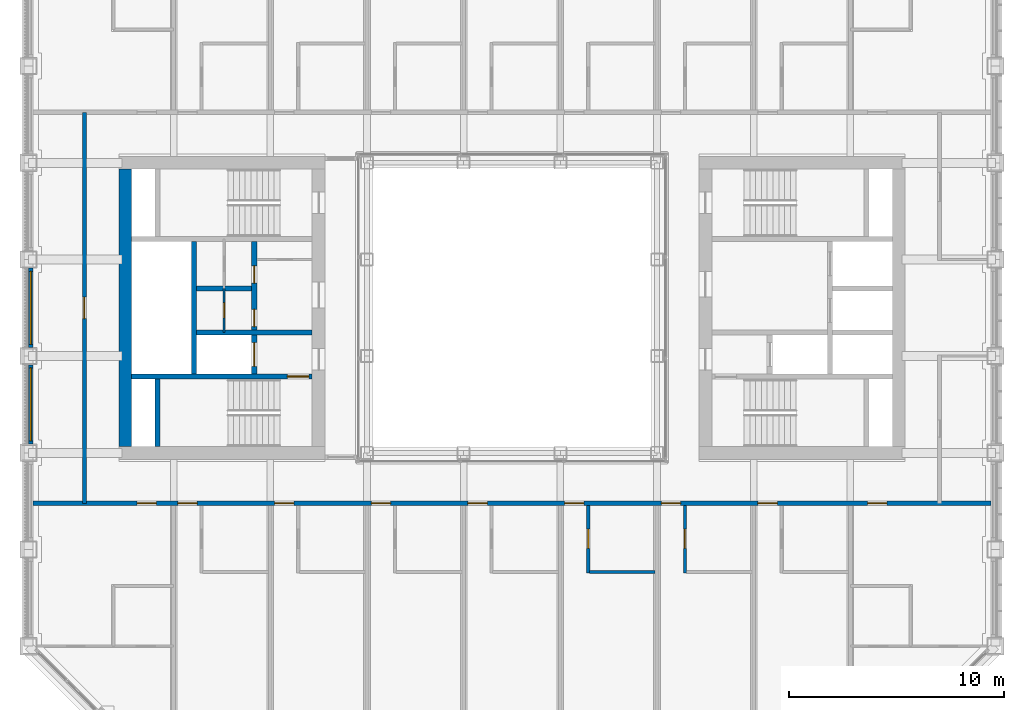
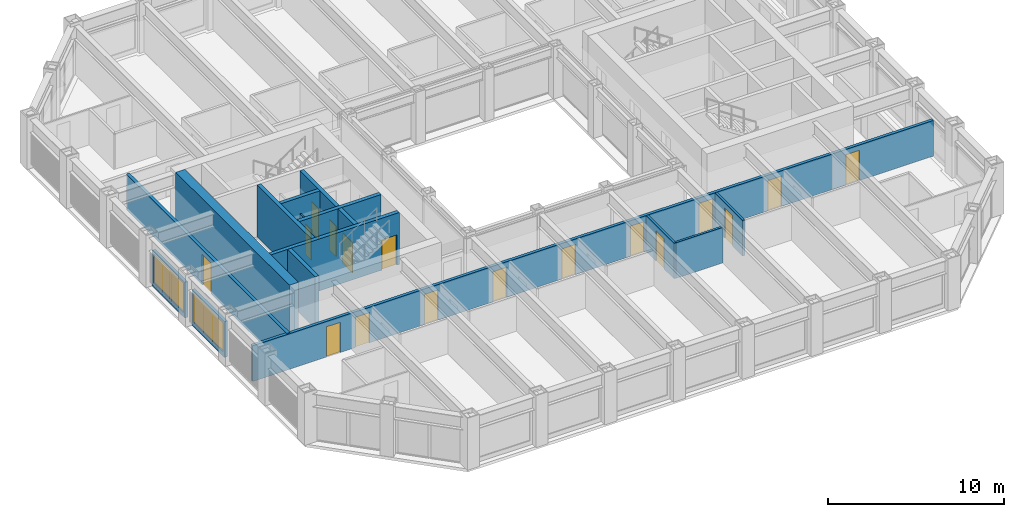
# One storey, part 11 of 18: 17 doors, 15 walls, 2 windows, 19 openings.
"""IFC4 building model written with IfcOpenShell, lengths in metres."""

from ifc_helpers import new_model, si_unit, direction, frame, frame_2d, origin, place, context, subcontext, project, spatial, rectangle, extrude, material, layer, layer_set, type_object, element, fill, save


model = new_model("IFC4")

# Units and contexts
model_context = context("Model", 3, precision=1e-05, world=origin(), true_north=direction((0.0, 1.0)))
body_context = subcontext(model_context, "Body", "Model", "MODEL_VIEW")
ifc_project = project(units=[si_unit("LENGTHUNIT", "METRE"), si_unit("AREAUNIT", "SQUARE_METRE"), si_unit("VOLUMEUNIT", "CUBIC_METRE"), si_unit("PLANEANGLEUNIT", "RADIAN"), si_unit("MASSUNIT", "GRAM", prefix="KILO")], contexts=[model_context])

# Site, building, storey
site_placement = place(None, origin())
site = spatial("IfcSite", under=ifc_project, at=site_placement, CompositionType="ELEMENT")
building_placement = place(site_placement, origin())
building = spatial("IfcBuilding", under=site, at=building_placement, Name="Msasa Ring Tower", CompositionType="ELEMENT")
storey_placement = place(building_placement, frame((0.0, 0.0, 118.39990234375)))
storey = spatial("IfcBuildingStorey", under=building, at=storey_placement, Name="L30", CompositionType="ELEMENT", Elevation=118.39990234375)

# Wall
ifc_material_1 = material(Name="Concrete C60/75", Category="concrete")
ifc_layer_1 = layer(ifc_material_1, 0.60009765625)
ifc_layer_set_1 = layer_set([ifc_layer_1], Name="CW2 CORE WALL 600")
wall_type_1 = type_object("IfcWallType", Name="CW2 CORE WALL 600", PredefinedType="SHEAR", material=ifc_layer_set_1)
wall_1_placement = place(storey_placement, frame((-18.0, -6.449951171875, 0.0), z_axis=(0.0, 0.0, 1.0), x_axis=(0.0, 1.0, 0.0)))
element("IfcWall", 1, at=wall_1_placement, inside=storey, type_object=wall_type_1, Name="W core wall E L30", PredefinedType="SHEAR", context=body_context, shape_type="SweptSolid", body=[
    extrude(rectangle(XDim=12.89990234375, YDim=0.60009765625, at=frame_2d((6.449951171875, 0.0))), origin(), (0.0, 0.0, 1.0), 3.60009765625),
])

# Wall, opening, door
ifc_material_2 = material(Name="Concrete C60/75", Category="concrete")
ifc_layer_2 = layer(ifc_material_2, 0.25)
ifc_layer_set_2 = layer_set([ifc_layer_2], Name="CW4 CORE INNER WALL 250")
wall_type_2 = type_object("IfcWallType", Name="CW4 CORE INNER WALL 250", PredefinedType="SHEAR", material=ifc_layer_set_2)
wall_2_placement = place(storey_placement, frame((-9.300048828125, -3.199951171875, 0.0), z_axis=(0.0, 0.0, 1.0), x_axis=(-1.0, 0.0, 0.0)))
wall_2 = element("IfcWall", 2, at=wall_2_placement, inside=storey, type_object=wall_type_2, Name="W core wall STAIRA L30", PredefinedType="SHEAR", context=body_context, shape_type="SweptSolid", body=[
    extrude(rectangle(XDim=8.39990234375, YDim=0.25, at=frame_2d((4.199951171875, 0.0))), origin(), (0.0, 0.0, 1.0), 3.60009765625),
])
opening_1_placement = place(wall_2_placement, frame((0.14990234375, 0.0, 0.0)))
opening_1 = element("IfcOpeningElement", 3, at=opening_1_placement, cuts=wall_2, Name="Opening HA-035", PredefinedType="OPENING", context=body_context, shape_type="SweptSolid", body=[
    extrude(rectangle(XDim=1.0, YDim=2.10009765625, at=frame_2d((0.5, 1.050048828125))), frame((0.0, 0.135009765625, 0.0), z_axis=(0.0, -1.0, 0.0), x_axis=(1.0, 0.0, 0.0)), (0.0, 0.0, 1.0), 0.27001953125),
])
ifc_material_3 = material(Name="Timber door leaf in a steel frame", Category="steel")
door_type_1 = type_object("IfcDoorType", Name="D6 STAIR DOOR 1000x2100", OperationType="SINGLE_SWING_LEFT", PredefinedType="DOOR", material=ifc_material_3)
door_1_placement = place(opening_1_placement, origin())
door_1 = element("IfcDoor", 4, at=door_1_placement, inside=storey, type_object=door_type_1, Name="Door L30-WSTA", OperationType="SINGLE_SWING_LEFT", OverallHeight=2.10009765625, OverallWidth=1.0, PredefinedType="DOOR", context=body_context, shape_type="SweptSolid", body=[
    extrude(rectangle(XDim=1.0, YDim=2.10009765625, at=frame_2d((0.5, 1.050048828125))), frame((0.0, 0.02490234375, 0.0), z_axis=(0.0, -1.0, 0.0), x_axis=(1.0, 0.0, 0.0)), (0.0, 0.0, 1.0), 0.050048828125),
])
fill(opening_1, door_1)

# Walls
wall_3_placement = place(storey_placement, frame((-16.5, -6.449951171875, 0.0), z_axis=(0.0, 0.0, 1.0), x_axis=(0.0, 1.0, 0.0)))
element("IfcWall", 5, at=wall_3_placement, inside=storey, type_object=wall_type_2, Name="W core wall RISERA L30", PredefinedType="SHEAR", context=body_context, shape_type="SweptSolid", body=[
    extrude(rectangle(XDim=3.125, YDim=0.25, at=frame_2d((1.5625, 0.0))), origin(), (0.0, 0.0, 1.0), 3.60009765625),
])
wall_4_placement = place(storey_placement, frame((-9.300048828125, -1.14990234375, 0.0), z_axis=(0.0, 0.0, 1.0), x_axis=(-1.0, 0.0, 0.0)))
element("IfcWall", 6, at=wall_4_placement, inside=storey, type_object=wall_type_2, Name="W core wall FFL L30", PredefinedType="SHEAR", context=body_context, shape_type="SweptSolid", body=[
    extrude(rectangle(XDim=5.375, YDim=0.25, at=frame_2d((2.6875, 0.0))), origin(), (0.0, 0.0, 1.0), 3.60009765625),
])

# Wall, openings, doors
wall_5_placement = place(storey_placement, frame((-12.0, -3.074951171875, 0.0), z_axis=(0.0, 0.0, 1.0), x_axis=(0.0, 1.0, 0.0)))
wall_5 = element("IfcWall", 7, at=wall_5_placement, inside=storey, type_object=wall_type_2, Name="W core wall LOBBY L30", PredefinedType="SHEAR", context=body_context, shape_type="SweptSolid", body=[
    extrude(rectangle(XDim=6.14990234375, YDim=0.25, at=frame_2d((3.074951171875, 0.0))), origin(), (0.0, 0.0, 1.0), 3.60009765625),
])
opening_2_placement = place(wall_5_placement, frame((2.199951171875, 0.0, 0.0)))
opening_2 = element("IfcOpeningElement", 8, at=opening_2_placement, cuts=wall_5, Name="Opening HA-032", PredefinedType="OPENING", context=body_context, shape_type="SweptSolid", body=[
    extrude(rectangle(XDim=0.800048828125, YDim=2.10009765625, at=frame_2d((0.39990234375, 1.050048828125))), frame((0.0, 0.135009765625, 0.0), z_axis=(0.0, -1.0, 0.0), x_axis=(1.0, 0.0, 0.0)), (0.0, 0.0, 1.0), 0.27001953125),
])
opening_3_placement = place(wall_5_placement, frame((4.22509765625, 0.0, 0.0)))
opening_3 = element("IfcOpeningElement", 9, at=opening_3_placement, cuts=wall_5, Name="Opening HA-027", PredefinedType="OPENING", context=body_context, shape_type="SweptSolid", body=[
    extrude(rectangle(XDim=0.800048828125, YDim=2.10009765625, at=frame_2d((0.39990234375, 1.050048828125))), frame((0.0, 0.135009765625, 0.0), z_axis=(0.0, -1.0, 0.0), x_axis=(1.0, 0.0, 0.0)), (0.0, 0.0, 1.0), 0.27001953125),
])
opening_4_placement = place(wall_5_placement, frame((0.35009765625, 0.0, 0.0)))
opening_4 = element("IfcOpeningElement", 10, at=opening_4_placement, cuts=wall_5, Name="Opening LD1", PredefinedType="OPENING", context=body_context, shape_type="SweptSolid", body=[
    extrude(rectangle(XDim=1.10009765625, YDim=2.10009765625, at=frame_2d((0.550048828125, 1.050048828125))), frame((0.0, 0.135009765625, 0.0), z_axis=(0.0, -1.0, 0.0), x_axis=(1.0, 0.0, 0.0)), (0.0, 0.0, 1.0), 0.27001953125),
])
ifc_material_4 = material(Name="Timber door leaf in a steel frame", Category="steel")
door_type_2 = type_object("IfcDoorType", Name="D9 NARROW SERVICE DOOR 800x2100", OperationType="SINGLE_SWING_LEFT", PredefinedType="DOOR", material=ifc_material_4)
door_2_placement = place(opening_2_placement, origin())
door_2 = element("IfcDoor", 11, at=door_2_placement, inside=storey, type_object=door_type_2, Name="Door L30-WR1", OperationType="SINGLE_SWING_LEFT", OverallHeight=2.10009765625, OverallWidth=0.800048828125, PredefinedType="DOOR", context=body_context, shape_type="SweptSolid", body=[
    extrude(rectangle(XDim=0.800048828125, YDim=2.10009765625, at=frame_2d((0.39990234375, 1.050048828125))), frame((0.0, 0.02490234375, 0.0), z_axis=(0.0, -1.0, 0.0), x_axis=(1.0, 0.0, 0.0)), (0.0, 0.0, 1.0), 0.050048828125),
])
fill(opening_2, door_2)
door_3_placement = place(opening_3_placement, origin())
door_3 = element("IfcDoor", 12, at=door_3_placement, inside=storey, type_object=door_type_2, Name="Door L30-WR2", OperationType="SINGLE_SWING_RIGHT", OverallHeight=2.10009765625, OverallWidth=0.800048828125, PredefinedType="DOOR", context=body_context, shape_type="SweptSolid", body=[
    extrude(rectangle(XDim=0.800048828125, YDim=2.10009765625, at=frame_2d((0.39990234375, 1.050048828125))), frame((0.0, 0.02490234375, 0.0), z_axis=(0.0, -1.0, 0.0), x_axis=(1.0, 0.0, 0.0)), (0.0, 0.0, 1.0), 0.050048828125),
])
fill(opening_3, door_3)
ifc_material_5 = material(Name="Stainless steel lift landing door", Category="steel")
door_type_3 = type_object("IfcDoorType", Name="LD1 LIFT LANDING DOOR 1100x2100", OperationType="DOUBLE_DOOR_SLIDING", PredefinedType="DOOR", material=ifc_material_5)
door_4_placement = place(opening_4_placement, origin())
door_4 = element("IfcDoor", 13, at=door_4_placement, inside=storey, type_object=door_type_3, Name="Lift landing door FL-W L30", OperationType="DOUBLE_DOOR_SLIDING", OverallHeight=2.10009765625, OverallWidth=1.10009765625, PredefinedType="DOOR", context=body_context, shape_type="SweptSolid", body=[
    extrude(rectangle(XDim=1.10009765625, YDim=2.10009765625, at=frame_2d((0.550048828125, 1.050048828125))), frame((0.0, 0.02490234375, 0.0), z_axis=(0.0, -1.0, 0.0), x_axis=(1.0, 0.0, 0.0)), (0.0, 0.0, 1.0), 0.050048828125),
])
fill(opening_4, door_4)

# Walls
wall_6_placement = place(storey_placement, frame((-14.800048828125, -3.074951171875, 0.0), z_axis=(0.0, 0.0, 1.0), x_axis=(0.0, 1.0, 0.0)))
element("IfcWall", 14, at=wall_6_placement, inside=storey, type_object=wall_type_2, Name="W core wall SHAFT L30", PredefinedType="SHEAR", context=body_context, shape_type="SweptSolid", body=[
    extrude(rectangle(XDim=6.14990234375, YDim=0.25, at=frame_2d((3.074951171875, 0.0))), origin(), (0.0, 0.0, 1.0), 3.60009765625),
])
wall_7_placement = place(storey_placement, frame((-12.125, 0.89990234375, 0.0), z_axis=(0.0, 0.0, 1.0), x_axis=(-1.0, 0.0, 0.0)))
element("IfcWall", 15, at=wall_7_placement, inside=storey, type_object=wall_type_2, Name="W core wall LIFT1 L30", PredefinedType="SHEAR", context=body_context, shape_type="SweptSolid", body=[
    extrude(rectangle(XDim=2.550048828125, YDim=0.25, at=frame_2d((1.27490234375, 0.0))), origin(), (0.0, 0.0, 1.0), 3.60009765625),
])

# Wall, opening, window
ifc_material_6 = material(Name="Terracotta rainscreen on blockwork", Category="masonry")
ifc_layer_3 = layer(ifc_material_6, 0.199951171875)
ifc_layer_set_3 = layer_set([ifc_layer_3], Name="FW1 TERRACOTTA-LINED INFILL BAY WALL 200")
wall_type_3 = type_object("IfcWallType", Name="FW1 TERRACOTTA-LINED INFILL BAY WALL 200", PredefinedType="SOLIDWALL", material=ifc_layer_set_3)
wall_8_placement = place(storey_placement, frame((-22.39990234375, -6.344970703125, 0.0), z_axis=(0.0, 0.0, 1.0), x_axis=(0.0, 1.0, 0.0)))
wall_8 = element("IfcWall", 16, at=wall_8_placement, inside=storey, type_object=wall_type_3, Name="Infill bay wall W L30 29", PredefinedType="SOLIDWALL", context=body_context, shape_type="SweptSolid", body=[
    extrude(rectangle(XDim=3.68994140625, YDim=0.199951171875, at=frame_2d((1.844970703125, 0.0))), origin(), (0.0, 0.0, 1.0), 2.47900390625),
])
opening_5_placement = place(wall_8_placement, frame((0.14501953125, 0.0, 0.300048828125)))
opening_5 = element("IfcOpeningElement", 17, at=opening_5_placement, cuts=wall_8, Name="Opening WN2", PredefinedType="OPENING", context=body_context, shape_type="SweptSolid", body=[
    extrude(rectangle(XDim=3.39990234375, YDim=2.029052734375, at=frame_2d((1.699951171875, 1.0146484375))), frame((0.0, 0.10986328125, 0.0), z_axis=(0.0, -1.0, 0.0), x_axis=(1.0, 0.0, 0.0)), (0.0, 0.0, 1.0), 0.219970703125),
])
ifc_material_7 = material(Name="Aluminium frame with clear glass", Category="aluminium")
window_type = type_object("IfcWindowType", Name="WN2 GUEST ROOM WINDOW 3400x2029", PartitioningType="SINGLE_PANEL", PredefinedType="WINDOW", material=ifc_material_7)
window_1_placement = place(opening_5_placement, origin())
window_1 = element("IfcWindow", 18, at=window_1_placement, inside=storey, type_object=window_type, Name="Window W L30 29", OverallHeight=2.029052734375, OverallWidth=3.39990234375, PartitioningType="SINGLE_PANEL", PredefinedType="WINDOW", context=body_context, shape_type="SweptSolid", body=[
    extrude(rectangle(XDim=3.39990234375, YDim=2.029052734375, at=frame_2d((1.699951171875, 1.0146484375))), frame((0.0, 0.030029296875, 0.0), z_axis=(0.0, -1.0, 0.0), x_axis=(1.0, 0.0, 0.0)), (0.0, 0.0, 1.0), 0.06005859375),
])
fill(opening_5, window_1)

wall_9_placement = place(storey_placement, frame((-22.39990234375, -1.844970703125, 0.0), z_axis=(0.0, 0.0, 1.0), x_axis=(0.0, 1.0, 0.0)))
wall_9 = element("IfcWall", 19, at=wall_9_placement, inside=storey, type_object=wall_type_3, Name="Infill bay wall W L30 30", PredefinedType="SOLIDWALL", context=body_context, shape_type="SweptSolid", body=[
    extrude(rectangle(XDim=3.68994140625, YDim=0.199951171875, at=frame_2d((1.844970703125, 0.0))), origin(), (0.0, 0.0, 1.0), 2.47900390625),
])
opening_6_placement = place(wall_9_placement, frame((0.14501953125, 0.0, 0.300048828125)))
opening_6 = element("IfcOpeningElement", 20, at=opening_6_placement, cuts=wall_9, Name="Opening WN2", PredefinedType="OPENING", context=body_context, shape_type="SweptSolid", body=[
    extrude(rectangle(XDim=3.39990234375, YDim=2.029052734375, at=frame_2d((1.699951171875, 1.0146484375))), frame((0.0, 0.10986328125, 0.0), z_axis=(0.0, -1.0, 0.0), x_axis=(1.0, 0.0, 0.0)), (0.0, 0.0, 1.0), 0.219970703125),
])
window_2_placement = place(opening_6_placement, origin())
window_2 = element("IfcWindow", 21, at=window_2_placement, inside=storey, type_object=window_type, Name="Window W L30 30", OverallHeight=2.029052734375, OverallWidth=3.39990234375, PartitioningType="SINGLE_PANEL", PredefinedType="WINDOW", context=body_context, shape_type="SweptSolid", body=[
    extrude(rectangle(XDim=3.39990234375, YDim=2.029052734375, at=frame_2d((1.699951171875, 1.0146484375))), frame((0.0, 0.030029296875, 0.0), z_axis=(0.0, -1.0, 0.0), x_axis=(1.0, 0.0, 0.0)), (0.0, 0.0, 1.0), 0.06005859375),
])
fill(opening_6, window_2)

# Wall, openings, doors
ifc_material_8 = material(Name="Concrete blockwork", Category="masonry")
ifc_layer_4 = layer(ifc_material_8, 0.199951171875)
ifc_layer_set_4 = layer_set([ifc_layer_4], Name="PT1 CORRIDOR WALL 200")
wall_type_4 = type_object("IfcWallType", Name="PT1 CORRIDOR WALL 200", PredefinedType="PARTITIONING", material=ifc_layer_set_4)
wall_10_placement = place(storey_placement, frame((-22.300048828125, -9.10009765625, 0.0), z_axis=(0.0, 0.0, 1.0), x_axis=(1.0, 0.0, 0.0)))
wall_10 = element("IfcWall", 22, at=wall_10_placement, inside=storey, type_object=wall_type_4, Name="Corridor wall L30-CORRS0", PredefinedType="PARTITIONING", context=body_context, shape_type="SweptSolid", body=[
    extrude(rectangle(XDim=44.60009765625, YDim=0.199951171875, at=frame_2d((22.300048828125, 0.0))), origin(), (0.0, 0.0, 1.0), 2.473388671875),
])
opening_7_placement = place(wall_10_placement, frame((6.75, 0.0, 0.0)))
opening_7 = element("IfcOpeningElement", 23, at=opening_7_placement, cuts=wall_10, Name="Opening HA-040", PredefinedType="OPENING", context=body_context, shape_type="SweptSolid", body=[
    extrude(rectangle(XDim=0.89990234375, YDim=2.10009765625, at=frame_2d((0.449951171875, 1.050048828125))), frame((0.0, 0.10986328125, 0.0), z_axis=(0.0, -1.0, 0.0), x_axis=(1.0, 0.0, 0.0)), (0.0, 0.0, 1.0), 0.219970703125),
])
opening_8_placement = place(wall_10_placement, frame((11.25, 0.0, 0.0)))
opening_8 = element("IfcOpeningElement", 24, at=opening_8_placement, cuts=wall_10, Name="Opening HA-041", PredefinedType="OPENING", context=body_context, shape_type="SweptSolid", body=[
    extrude(rectangle(XDim=0.89990234375, YDim=2.10009765625, at=frame_2d((0.449951171875, 1.050048828125))), frame((0.0, 0.10986328125, 0.0), z_axis=(0.0, -1.0, 0.0), x_axis=(1.0, 0.0, 0.0)), (0.0, 0.0, 1.0), 0.219970703125),
])
opening_9_placement = place(wall_10_placement, frame((15.75, 0.0, 0.0)))
opening_9 = element("IfcOpeningElement", 25, at=opening_9_placement, cuts=wall_10, Name="Opening HA-042", PredefinedType="OPENING", context=body_context, shape_type="SweptSolid", body=[
    extrude(rectangle(XDim=0.89990234375, YDim=2.10009765625, at=frame_2d((0.449951171875, 1.050048828125))), frame((0.0, 0.10986328125, 0.0), z_axis=(0.0, -1.0, 0.0), x_axis=(1.0, 0.0, 0.0)), (0.0, 0.0, 1.0), 0.219970703125),
])
opening_10_placement = place(wall_10_placement, frame((20.25, 0.0, 0.0)))
opening_10 = element("IfcOpeningElement", 26, at=opening_10_placement, cuts=wall_10, Name="Opening HA-043", PredefinedType="OPENING", context=body_context, shape_type="SweptSolid", body=[
    extrude(rectangle(XDim=0.89990234375, YDim=2.10009765625, at=frame_2d((0.449951171875, 1.050048828125))), frame((0.0, 0.10986328125, 0.0), z_axis=(0.0, -1.0, 0.0), x_axis=(1.0, 0.0, 0.0)), (0.0, 0.0, 1.0), 0.219970703125),
])
opening_11_placement = place(wall_10_placement, frame((24.75, 0.0, 0.0)))
opening_11 = element("IfcOpeningElement", 27, at=opening_11_placement, cuts=wall_10, Name="Opening HA-044", PredefinedType="OPENING", context=body_context, shape_type="SweptSolid", body=[
    extrude(rectangle(XDim=0.89990234375, YDim=2.10009765625, at=frame_2d((0.449951171875, 1.050048828125))), frame((0.0, 0.10986328125, 0.0), z_axis=(0.0, -1.0, 0.0), x_axis=(1.0, 0.0, 0.0)), (0.0, 0.0, 1.0), 0.219970703125),
])
opening_12_placement = place(wall_10_placement, frame((29.25, 0.0, 0.0)))
opening_12 = element("IfcOpeningElement", 28, at=opening_12_placement, cuts=wall_10, Name="Opening HA-045", PredefinedType="OPENING", context=body_context, shape_type="SweptSolid", body=[
    extrude(rectangle(XDim=0.89990234375, YDim=2.10009765625, at=frame_2d((0.449951171875, 1.050048828125))), frame((0.0, 0.10986328125, 0.0), z_axis=(0.0, -1.0, 0.0), x_axis=(1.0, 0.0, 0.0)), (0.0, 0.0, 1.0), 0.219970703125),
])
opening_13_placement = place(wall_10_placement, frame((33.75, 0.0, 0.0)))
opening_13 = element("IfcOpeningElement", 29, at=opening_13_placement, cuts=wall_10, Name="Opening HA-046", PredefinedType="OPENING", context=body_context, shape_type="SweptSolid", body=[
    extrude(rectangle(XDim=0.89990234375, YDim=2.10009765625, at=frame_2d((0.449951171875, 1.050048828125))), frame((0.0, 0.10986328125, 0.0), z_axis=(0.0, -1.0, 0.0), x_axis=(1.0, 0.0, 0.0)), (0.0, 0.0, 1.0), 0.219970703125),
])
opening_14_placement = place(wall_10_placement, frame((38.85009765625, 0.0, 0.0)))
opening_14 = element("IfcOpeningElement", 30, at=opening_14_placement, cuts=wall_10, Name="Opening HA-047", PredefinedType="OPENING", context=body_context, shape_type="SweptSolid", body=[
    extrude(rectangle(XDim=0.89990234375, YDim=2.10009765625, at=frame_2d((0.449951171875, 1.050048828125))), frame((0.0, 0.10986328125, 0.0), z_axis=(0.0, -1.0, 0.0), x_axis=(1.0, 0.0, 0.0)), (0.0, 0.0, 1.0), 0.219970703125),
])
opening_15_placement = place(wall_10_placement, frame((4.85009765625, 0.0, 0.0)))
opening_15 = element("IfcOpeningElement", 31, at=opening_15_placement, cuts=wall_10, Name="Opening HA-039", PredefinedType="OPENING", context=body_context, shape_type="SweptSolid", body=[
    extrude(rectangle(XDim=0.89990234375, YDim=2.10009765625, at=frame_2d((0.449951171875, 1.050048828125))), frame((0.0, 0.10986328125, 0.0), z_axis=(0.0, -1.0, 0.0), x_axis=(1.0, 0.0, 0.0)), (0.0, 0.0, 1.0), 0.219970703125),
])
ifc_material_9 = material(Name="Timber door leaf in a steel frame", Category="steel")
door_type_4 = type_object("IfcDoorType", Name="D1 SINGLE DOOR TO CORRIDOR 900x2100", OperationType="SINGLE_SWING_LEFT", PredefinedType="DOOR", material=ifc_material_9)
door_5_placement = place(opening_7_placement, origin())
door_5 = element("IfcDoor", 32, at=door_5_placement, inside=storey, type_object=door_type_4, Name="Door L30-GS00", OperationType="SINGLE_SWING_LEFT", OverallHeight=2.10009765625, OverallWidth=0.89990234375, PredefinedType="DOOR", context=body_context, shape_type="SweptSolid", body=[
    extrude(rectangle(XDim=0.89990234375, YDim=2.10009765625, at=frame_2d((0.449951171875, 1.050048828125))), frame((0.0, 0.02490234375, 0.0), z_axis=(0.0, -1.0, 0.0), x_axis=(1.0, 0.0, 0.0)), (0.0, 0.0, 1.0), 0.050048828125),
])
fill(opening_7, door_5)
door_6_placement = place(opening_8_placement, origin())
door_6 = element("IfcDoor", 33, at=door_6_placement, inside=storey, type_object=door_type_4, Name="Door L30-GS01", OperationType="SINGLE_SWING_LEFT", OverallHeight=2.10009765625, OverallWidth=0.89990234375, PredefinedType="DOOR", context=body_context, shape_type="SweptSolid", body=[
    extrude(rectangle(XDim=0.89990234375, YDim=2.10009765625, at=frame_2d((0.449951171875, 1.050048828125))), frame((0.0, 0.02490234375, 0.0), z_axis=(0.0, -1.0, 0.0), x_axis=(1.0, 0.0, 0.0)), (0.0, 0.0, 1.0), 0.050048828125),
])
fill(opening_8, door_6)
door_7_placement = place(opening_9_placement, origin())
door_7 = element("IfcDoor", 34, at=door_7_placement, inside=storey, type_object=door_type_4, Name="Door L30-GS02", OperationType="SINGLE_SWING_LEFT", OverallHeight=2.10009765625, OverallWidth=0.89990234375, PredefinedType="DOOR", context=body_context, shape_type="SweptSolid", body=[
    extrude(rectangle(XDim=0.89990234375, YDim=2.10009765625, at=frame_2d((0.449951171875, 1.050048828125))), frame((0.0, 0.02490234375, 0.0), z_axis=(0.0, -1.0, 0.0), x_axis=(1.0, 0.0, 0.0)), (0.0, 0.0, 1.0), 0.050048828125),
])
fill(opening_9, door_7)
door_8_placement = place(opening_10_placement, origin())
door_8 = element("IfcDoor", 35, at=door_8_placement, inside=storey, type_object=door_type_4, Name="Door L30-GS03", OperationType="SINGLE_SWING_LEFT", OverallHeight=2.10009765625, OverallWidth=0.89990234375, PredefinedType="DOOR", context=body_context, shape_type="SweptSolid", body=[
    extrude(rectangle(XDim=0.89990234375, YDim=2.10009765625, at=frame_2d((0.449951171875, 1.050048828125))), frame((0.0, 0.02490234375, 0.0), z_axis=(0.0, -1.0, 0.0), x_axis=(1.0, 0.0, 0.0)), (0.0, 0.0, 1.0), 0.050048828125),
])
fill(opening_10, door_8)
door_9_placement = place(opening_11_placement, origin())
door_9 = element("IfcDoor", 36, at=door_9_placement, inside=storey, type_object=door_type_4, Name="Door L30-GS04", OperationType="SINGLE_SWING_RIGHT", OverallHeight=2.10009765625, OverallWidth=0.89990234375, PredefinedType="DOOR", context=body_context, shape_type="SweptSolid", body=[
    extrude(rectangle(XDim=0.89990234375, YDim=2.10009765625, at=frame_2d((0.449951171875, 1.050048828125))), frame((0.0, 0.02490234375, 0.0), z_axis=(0.0, -1.0, 0.0), x_axis=(1.0, 0.0, 0.0)), (0.0, 0.0, 1.0), 0.050048828125),
])
fill(opening_11, door_9)
door_10_placement = place(opening_12_placement, origin())
door_10 = element("IfcDoor", 37, at=door_10_placement, inside=storey, type_object=door_type_4, Name="Door L30-GS05", OperationType="SINGLE_SWING_RIGHT", OverallHeight=2.10009765625, OverallWidth=0.89990234375, PredefinedType="DOOR", context=body_context, shape_type="SweptSolid", body=[
    extrude(rectangle(XDim=0.89990234375, YDim=2.10009765625, at=frame_2d((0.449951171875, 1.050048828125))), frame((0.0, 0.02490234375, 0.0), z_axis=(0.0, -1.0, 0.0), x_axis=(1.0, 0.0, 0.0)), (0.0, 0.0, 1.0), 0.050048828125),
])
fill(opening_12, door_10)
door_11_placement = place(opening_13_placement, origin())
door_11 = element("IfcDoor", 38, at=door_11_placement, inside=storey, type_object=door_type_4, Name="Door L30-GS06", OperationType="SINGLE_SWING_RIGHT", OverallHeight=2.10009765625, OverallWidth=0.89990234375, PredefinedType="DOOR", context=body_context, shape_type="SweptSolid", body=[
    extrude(rectangle(XDim=0.89990234375, YDim=2.10009765625, at=frame_2d((0.449951171875, 1.050048828125))), frame((0.0, 0.02490234375, 0.0), z_axis=(0.0, -1.0, 0.0), x_axis=(1.0, 0.0, 0.0)), (0.0, 0.0, 1.0), 0.050048828125),
])
fill(opening_13, door_11)
ifc_material_10 = material(Name="Timber door leaf in a steel frame", Category="steel")
door_type_5 = type_object("IfcDoorType", Name="D2 ENTRANCE DOOR 900x2100", OperationType="SINGLE_SWING_LEFT", PredefinedType="DOOR", material=ifc_material_10)
door_12_placement = place(opening_14_placement, origin())
door_12 = element("IfcDoor", 39, at=door_12_placement, inside=storey, type_object=door_type_5, Name="Door L30-CSSE", OperationType="SINGLE_SWING_RIGHT", OverallHeight=2.10009765625, OverallWidth=0.89990234375, PredefinedType="DOOR", context=body_context, shape_type="SweptSolid", body=[
    extrude(rectangle(XDim=0.89990234375, YDim=2.10009765625, at=frame_2d((0.449951171875, 1.050048828125))), frame((0.0, 0.02490234375, 0.0), z_axis=(0.0, -1.0, 0.0), x_axis=(1.0, 0.0, 0.0)), (0.0, 0.0, 1.0), 0.050048828125),
])
fill(opening_14, door_12)
door_13_placement = place(opening_15_placement, origin())
door_13 = element("IfcDoor", 40, at=door_13_placement, inside=storey, type_object=door_type_5, Name="Door L30-CSSW", OperationType="SINGLE_SWING_LEFT", OverallHeight=2.10009765625, OverallWidth=0.89990234375, PredefinedType="DOOR", context=body_context, shape_type="SweptSolid", body=[
    extrude(rectangle(XDim=0.89990234375, YDim=2.10009765625, at=frame_2d((0.449951171875, 1.050048828125))), frame((0.0, 0.02490234375, 0.0), z_axis=(0.0, -1.0, 0.0), x_axis=(1.0, 0.0, 0.0)), (0.0, 0.0, 1.0), 0.050048828125),
])
fill(opening_15, door_13)

# Wall, opening, door
wall_11_placement = place(storey_placement, frame((-19.89990234375, -9.10009765625, 0.0), z_axis=(0.0, 0.0, 1.0), x_axis=(0.0, 1.0, 0.0)))
wall_11 = element("IfcWall", 41, at=wall_11_placement, inside=storey, type_object=wall_type_4, Name="Corridor wall L30-STRW", PredefinedType="PARTITIONING", context=body_context, shape_type="SweptSolid", body=[
    extrude(rectangle(XDim=18.2001953125, YDim=0.199951171875, at=frame_2d((9.10009765625, 0.0))), origin(), (0.0, 0.0, 1.0), 2.473388671875),
])
opening_16_placement = place(wall_11_placement, frame((8.60009765625, 0.0, 0.0)))
opening_16 = element("IfcOpeningElement", 42, at=opening_16_placement, cuts=wall_11, Name="Opening HA-030", PredefinedType="OPENING", context=body_context, shape_type="SweptSolid", body=[
    extrude(rectangle(XDim=1.0, YDim=2.10009765625, at=frame_2d((0.5, 1.050048828125))), frame((0.0, 0.10986328125, 0.0), z_axis=(0.0, -1.0, 0.0), x_axis=(1.0, 0.0, 0.0)), (0.0, 0.0, 1.0), 0.219970703125),
])
ifc_material_11 = material(Name="Timber door leaf in a steel frame", Category="steel")
door_type_6 = type_object("IfcDoorType", Name="D10 STORE DOOR 1000x2100", OperationType="SINGLE_SWING_LEFT", PredefinedType="DOOR", material=ifc_material_11)
door_14_placement = place(opening_16_placement, origin())
door_14 = element("IfcDoor", 43, at=door_14_placement, inside=storey, type_object=door_type_6, Name="Door L30-LGW", OperationType="SINGLE_SWING_LEFT", OverallHeight=2.10009765625, OverallWidth=1.0, PredefinedType="DOOR", context=body_context, shape_type="SweptSolid", body=[
    extrude(rectangle(XDim=1.0, YDim=2.10009765625, at=frame_2d((0.5, 1.050048828125))), frame((0.0, 0.02490234375, 0.0), z_axis=(0.0, -1.0, 0.0), x_axis=(1.0, 0.0, 0.0)), (0.0, 0.0, 1.0), 0.050048828125),
])
fill(opening_16, door_14)

ifc_material_12 = material(Name="Gypsum board on steel studs", Category="steel")
ifc_layer_5 = layer(ifc_material_12, 0.10009765625)
ifc_layer_set_5 = layer_set([ifc_layer_5], Name="PT2 STUD PARTITION 100")
wall_type_5 = type_object("IfcWallType", Name="PT2 STUD PARTITION 100", PredefinedType="PARTITIONING", material=ifc_layer_set_5)
wall_12_placement = place(storey_placement, frame((-13.39990234375, -1.14990234375, 0.0), z_axis=(0.0, 0.0, 1.0), x_axis=(0.0, 1.0, 0.0)))
wall_12 = element("IfcWall", 44, at=wall_12_placement, inside=storey, type_object=wall_type_5, Name="Partition L30-WRP1", PredefinedType="PARTITIONING", context=body_context, shape_type="SweptSolid", body=[
    extrude(rectangle(XDim=2.0498046875, YDim=0.10009765625, at=frame_2d((1.02490234375, 0.0))), origin(), (0.0, 0.0, 1.0), 2.473388671875),
])
opening_17_placement = place(wall_12_placement, frame((0.675048828125, 0.0, 0.0)))
opening_17 = element("IfcOpeningElement", 45, at=opening_17_placement, cuts=wall_12, Name="Opening HA-031", PredefinedType="OPENING", context=body_context, shape_type="SweptSolid", body=[
    extrude(rectangle(XDim=0.699951171875, YDim=2.10009765625, at=frame_2d((0.35009765625, 1.050048828125))), frame((0.0, 0.06005859375, 0.0), z_axis=(0.0, -1.0, 0.0), x_axis=(1.0, 0.0, 0.0)), (0.0, 0.0, 1.0), 0.1201171875),
])
ifc_material_13 = material(Name="Timber door leaf in a steel frame", Category="steel")
door_type_7 = type_object("IfcDoorType", Name="D32 INTERNAL NARROW STORE DOOR 700x2100", OperationType="SINGLE_SWING_LEFT", PredefinedType="DOOR", material=ifc_material_13)
door_15_placement = place(opening_17_placement, origin())
door_15 = element("IfcDoor", 46, at=door_15_placement, inside=storey, type_object=door_type_7, Name="Door L30-WRC1", OperationType="SINGLE_SWING_LEFT", OverallHeight=2.10009765625, OverallWidth=0.699951171875, PredefinedType="DOOR", context=body_context, shape_type="SweptSolid", body=[
    extrude(rectangle(XDim=0.699951171875, YDim=2.10009765625, at=frame_2d((0.35009765625, 1.050048828125))), frame((0.0, 0.02490234375, 0.0), z_axis=(0.0, -1.0, 0.0), x_axis=(1.0, 0.0, 0.0)), (0.0, 0.0, 1.0), 0.050048828125),
])
fill(opening_17, door_15)

ifc_material_14 = material(Name="Moisture-resistant board on steel studs with a concealed cistern and pipe void, tiled", Category="steel")
ifc_layer_6 = layer(ifc_material_14, 0.14990234375)
ifc_layer_set_6 = layer_set([ifc_layer_6], Name="PT4 BATHROOM WET WALL 150")
wall_type_6 = type_object("IfcWallType", Name="PT4 BATHROOM WET WALL 150", PredefinedType="PARTITIONING", material=ifc_layer_set_6)
wall_13_placement = place(storey_placement, frame((3.550048828125, -12.35009765625, 0.0), z_axis=(0.0, 0.0, 1.0), x_axis=(0.0, 1.0, 0.0)))
wall_13 = element("IfcWall", 47, at=wall_13_placement, inside=storey, type_object=wall_type_6, Name="Partition L30-GS04BX", PredefinedType="PARTITIONING", context=body_context, shape_type="SweptSolid", body=[
    extrude(rectangle(XDim=3.150146484375, YDim=0.14990234375, at=frame_2d((1.5751953125, 0.0))), origin(), (0.0, 0.0, 1.0), 2.473388671875),
])
opening_18_placement = place(wall_13_placement, frame((1.14990234375, 0.0, 0.0)))
opening_18 = element("IfcOpeningElement", 48, at=opening_18_placement, cuts=wall_13, Name="Opening HA-052", PredefinedType="OPENING", context=body_context, shape_type="SweptSolid", body=[
    extrude(rectangle(XDim=0.89990234375, YDim=2.10009765625, at=frame_2d((0.449951171875, 1.050048828125))), frame((0.0, 0.0849609375, 0.0), z_axis=(0.0, -1.0, 0.0), x_axis=(1.0, 0.0, 0.0)), (0.0, 0.0, 1.0), 0.169921875),
])
ifc_material_15 = material(Name="Timber door leaf in a steel frame", Category="steel")
door_type_8 = type_object("IfcDoorType", Name="D3 BATHROOM DOOR 900x2100", OperationType="SINGLE_SWING_LEFT", PredefinedType="DOOR", material=ifc_material_15)
door_16_placement = place(opening_18_placement, origin())
door_16 = element("IfcDoor", 49, at=door_16_placement, inside=storey, type_object=door_type_8, Name="Door L30-GS04B", OperationType="SINGLE_SWING_LEFT", OverallHeight=2.10009765625, OverallWidth=0.89990234375, PredefinedType="DOOR", context=body_context, shape_type="SweptSolid", body=[
    extrude(rectangle(XDim=0.89990234375, YDim=2.10009765625, at=frame_2d((0.449951171875, 1.050048828125))), frame((0.0, 0.02490234375, 0.0), z_axis=(0.0, -1.0, 0.0), x_axis=(1.0, 0.0, 0.0)), (0.0, 0.0, 1.0), 0.050048828125),
])
fill(opening_18, door_16)

# Wall
wall_14_placement = place(storey_placement, frame((3.60009765625, -12.300048828125, 0.0), z_axis=(0.0, 0.0, 1.0), x_axis=(1.0, 0.0, 0.0)))
element("IfcWall", 50, at=wall_14_placement, inside=storey, type_object=wall_type_6, Name="Partition L30-GS04BY", PredefinedType="PARTITIONING", context=body_context, shape_type="SweptSolid", body=[
    extrude(rectangle(XDim=3.0625, YDim=0.14990234375, at=frame_2d((1.53125, 0.0))), origin(), (0.0, 0.0, 1.0), 2.473388671875),
])

# Wall, opening, door
wall_15_placement = place(storey_placement, frame((8.050048828125, -12.35009765625, 0.0), z_axis=(0.0, 0.0, 1.0), x_axis=(0.0, 1.0, 0.0)))
wall_15 = element("IfcWall", 51, at=wall_15_placement, inside=storey, type_object=wall_type_6, Name="Partition L30-GS05BX", PredefinedType="PARTITIONING", context=body_context, shape_type="SweptSolid", body=[
    extrude(rectangle(XDim=3.150146484375, YDim=0.14990234375, at=frame_2d((1.5751953125, 0.0))), origin(), (0.0, 0.0, 1.0), 2.473388671875),
])
opening_19_placement = place(wall_15_placement, frame((1.14990234375, 0.0, 0.0)))
opening_19 = element("IfcOpeningElement", 52, at=opening_19_placement, cuts=wall_15, Name="Opening HA-053", PredefinedType="OPENING", context=body_context, shape_type="SweptSolid", body=[
    extrude(rectangle(XDim=0.89990234375, YDim=2.10009765625, at=frame_2d((0.449951171875, 1.050048828125))), frame((0.0, 0.0849609375, 0.0), z_axis=(0.0, -1.0, 0.0), x_axis=(1.0, 0.0, 0.0)), (0.0, 0.0, 1.0), 0.169921875),
])
door_17_placement = place(opening_19_placement, origin())
door_17 = element("IfcDoor", 53, at=door_17_placement, inside=storey, type_object=door_type_8, Name="Door L30-GS05B", OperationType="SINGLE_SWING_LEFT", OverallHeight=2.10009765625, OverallWidth=0.89990234375, PredefinedType="DOOR", context=body_context, shape_type="SweptSolid", body=[
    extrude(rectangle(XDim=0.89990234375, YDim=2.10009765625, at=frame_2d((0.449951171875, 1.050048828125))), frame((0.0, 0.02490234375, 0.0), z_axis=(0.0, -1.0, 0.0), x_axis=(1.0, 0.0, 0.0)), (0.0, 0.0, 1.0), 0.050048828125),
])
fill(opening_19, door_17)

save(model, "model.ifc")
